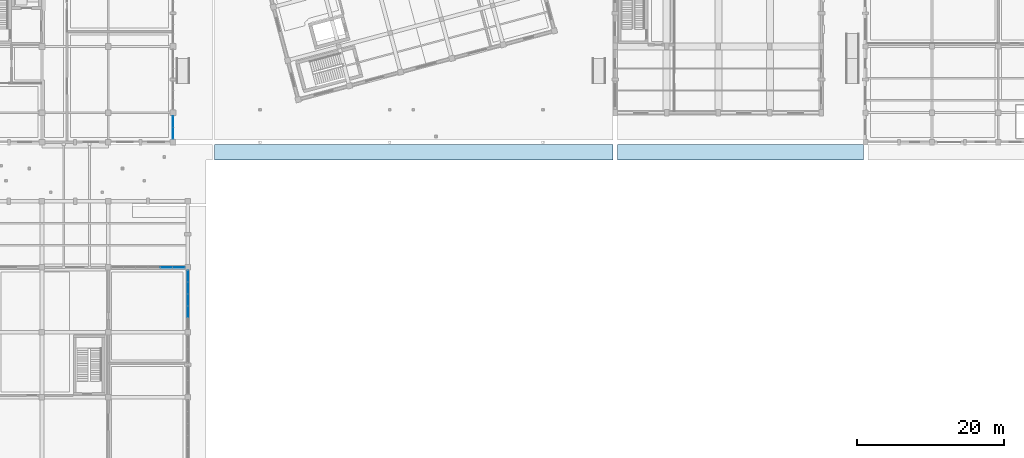
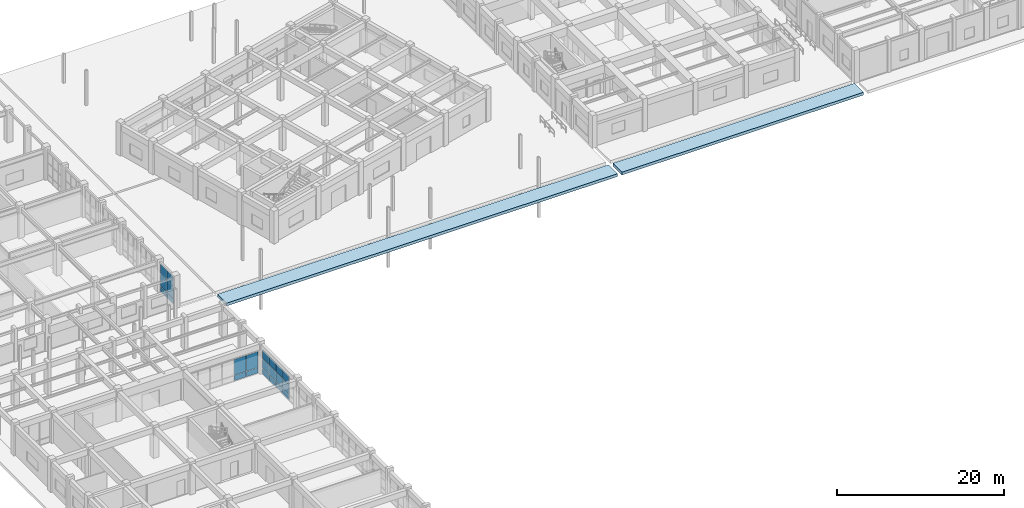
# One storey, part 29 of 47: 22 plates, 2 slabs, 3 elements without a shape of their own.
"""IFC4 building model written with IfcOpenShell, lengths in metres."""

from ifc_helpers import new_model, si_unit, direction, frame, origin, origin_2d, place, context, subcontext, project, spatial, polyline, rectangle, outline, extrude, material, layer, layer_set, type_object, element, aggregate, save


model = new_model("IFC4")

# Units and contexts
model_context = context("Model", 3, precision=1e-05, world=origin(), true_north=direction((0.0, 1.0)))
body_context = subcontext(model_context, "Body", "Model", "MODEL_VIEW")
ifc_project = project(units=[si_unit("LENGTHUNIT", "METRE"), si_unit("AREAUNIT", "SQUARE_METRE"), si_unit("VOLUMEUNIT", "CUBIC_METRE"), si_unit("PLANEANGLEUNIT", "RADIAN"), si_unit("MASSUNIT", "GRAM", prefix="KILO")], contexts=[model_context])

# Site, building, storey
site_placement = place(None, origin())
site = spatial("IfcSite", under=ifc_project, at=site_placement, CompositionType="ELEMENT")
building_placement = place(site_placement, origin())
building = spatial("IfcBuilding", under=site, at=building_placement, Name="Ventoquebrada Cableway Terminal", CompositionType="ELEMENT")
storey_placement = place(building_placement, origin())
storey = spatial("IfcBuildingStorey", under=building, at=storey_placement, Name="L00", CompositionType="ELEMENT", Elevation=0.0)

# Curtain wall, plates
ifc_material_1 = material(Name="Anodized thermally-broken aluminium", Category="aluminium")
ifc_layer_1 = layer(ifc_material_1, 0.159912109375)
ifc_layer_set_1 = layer_set([ifc_layer_1], Name="Anodized thermally-broken aluminium")
curtain_wall_type_1 = type_object("IfcCurtainWallType", Name="CW-T02", PredefinedType="USERDEFINED", material=ifc_layer_set_1)
curtain_wall_1_placement = place(storey_placement, origin())
curtain_wall_1 = element("IfcCurtainWall", 1, at=curtain_wall_1_placement, inside=storey, type_object=curtain_wall_type_1, Name="Unitised glazed curtain wall CW-006", ObjectType="UNITISED CURTAIN WALL", PredefinedType="USERDEFINED")
ifc_material_2 = material(Name="Double low-e laminated safety glazing", Category="glass")
ifc_layer_2 = layer(ifc_material_2, 0.031982421875)
ifc_layer_set_2 = layer_set([ifc_layer_2], Name="Double low-e laminated safety glazing")
plate_type_1 = type_object("IfcPlateType", Name="CWP-GL1", PredefinedType="CURTAIN_PANEL", material=ifc_layer_set_2)
plate_1_placement = place(storey_placement, frame((37.0, 40.991943359375, 0.87451171875), z_axis=(0.0, 0.0, 1.0), x_axis=(0.0, 1.0, 0.0)))
plate_1 = element("IfcPlate", 2, at=plate_1_placement, type_object=plate_type_1, Name="Vision glazing panel PN-0044", PredefinedType="CURTAIN_PANEL", context=body_context, shape_type="SweptSolid", body=[
    extrude(rectangle(XDim=1.55908203125, YDim=0.031982421875, at=origin_2d()), origin(), (0.0, 0.0, 1.0), 1.34912109375),
])
plate_2_placement = place(storey_placement, frame((37.0, 42.60009765625, 2.2724609375), z_axis=(0.0, 0.0, 1.0), x_axis=(0.0, 1.0, 0.0)))
plate_2 = element("IfcPlate", 3, at=plate_2_placement, type_object=plate_type_1, Name="Vision glazing panel PN-0048", PredefinedType="CURTAIN_PANEL", context=body_context, shape_type="SweptSolid", body=[
    extrude(rectangle(XDim=1.55908203125, YDim=0.031982421875, at=origin_2d()), origin(), (0.0, 0.0, 1.0), 1.29296875),
])
plate_3_placement = place(storey_placement, frame((37.0, 44.20703125, 0.87451171875), z_axis=(0.0, 0.0, 1.0), x_axis=(0.0, 1.0, 0.0)))
plate_3 = element("IfcPlate", 4, at=plate_3_placement, type_object=plate_type_1, Name="Vision glazing panel PN-0050", PredefinedType="CURTAIN_PANEL", context=body_context, shape_type="SweptSolid", body=[
    extrude(rectangle(XDim=1.55908203125, YDim=0.031982421875, at=origin_2d()), origin(), (0.0, 0.0, 1.0), 1.34912109375),
])
plate_4_placement = place(storey_placement, frame((37.0, 45.798095703125, 2.2724609375), z_axis=(0.0, 0.0, 1.0), x_axis=(0.0, 1.0, 0.0)))
plate_4 = element("IfcPlate", 5, at=plate_4_placement, type_object=plate_type_1, Name="Vision glazing panel PN-0054", PredefinedType="CURTAIN_PANEL", context=body_context, shape_type="SweptSolid", body=[
    extrude(rectangle(XDim=1.52392578125, YDim=0.031982421875, at=origin_2d()), origin(), (0.0, 0.0, 1.0), 1.29296875),
])

# Curtain wall, plate
ifc_layer_3 = layer(ifc_material_1, 0.159912109375)
ifc_layer_set_3 = layer_set([ifc_layer_3], Name="Anodized thermally-broken aluminium")
curtain_wall_type_2 = type_object("IfcCurtainWallType", Name="CW-T04", PredefinedType="USERDEFINED", material=ifc_layer_set_3)
curtain_wall_2_placement = place(storey_placement, origin())
curtain_wall_2 = element("IfcCurtainWall", 6, at=curtain_wall_2_placement, inside=storey, type_object=curtain_wall_type_2, Name="Unitised glazed curtain wall CW-008", ObjectType="UNITISED CURTAIN WALL", PredefinedType="USERDEFINED")
plate_5_placement = place(storey_placement, frame((34.110107421875, 47.0, 0.87451171875), z_axis=(0.0, 0.0, 1.0), x_axis=(-1.0, 0.0, 0.0)))
plate_5 = element("IfcPlate", 7, at=plate_5_placement, type_object=plate_type_1, Name="Vision glazing panel PN-0064", PredefinedType="CURTAIN_PANEL", context=body_context, shape_type="SweptSolid", body=[
    extrude(rectangle(XDim=1.6240234375, YDim=0.031982421875, at=origin_2d()), origin(), (0.0, 0.0, 1.0), 2.301025390625),
])

# Curtain wall, plates
ifc_layer_4 = layer(ifc_material_1, 0.159912109375)
ifc_layer_set_4 = layer_set([ifc_layer_4], Name="Anodized thermally-broken aluminium")
curtain_wall_type_3 = type_object("IfcCurtainWallType", Name="CW-T12", PredefinedType="USERDEFINED", material=ifc_layer_set_4)
curtain_wall_3_placement = place(storey_placement, origin())
curtain_wall_3 = element("IfcCurtainWall", 8, at=curtain_wall_3_placement, inside=storey, type_object=curtain_wall_type_3, Name="Unitised glazed curtain wall CW-023", ObjectType="UNITISED CURTAIN WALL", PredefinedType="USERDEFINED")
plate_6_placement = place(storey_placement, frame((35.0, 65.219970703125, 2.58837890625), z_axis=(0.0, 0.0, 1.0), x_axis=(0.0, 1.0, 0.0)))
plate_6 = element("IfcPlate", 9, at=plate_6_placement, type_object=plate_type_1, Name="Vision glazing panel PN-0230", PredefinedType="CURTAIN_PANEL", context=body_context, shape_type="SweptSolid", body=[
    extrude(rectangle(XDim=1.510986328125, YDim=0.031982421875, at=origin_2d()), origin(), (0.0, 0.0, 1.0), 1.487060546875),
])
plate_7_placement = place(storey_placement, frame((35.0, 66.780029296875, 0.87451171875), z_axis=(0.0, 0.0, 1.0), x_axis=(0.0, 1.0, 0.0)))
plate_7 = element("IfcPlate", 10, at=plate_7_placement, type_object=plate_type_1, Name="Vision glazing panel PN-0232", PredefinedType="CURTAIN_PANEL", context=body_context, shape_type="SweptSolid", body=[
    extrude(rectangle(XDim=1.510986328125, YDim=0.031982421875, at=origin_2d()), origin(), (0.0, 0.0, 1.0), 1.6650390625),
])

# Plate
ifc_layer_5 = layer(ifc_material_2, 0.0380859375)
ifc_layer_set_5 = layer_set([ifc_layer_5], Name="Double low-e laminated safety glazing")
plate_type_2 = type_object("IfcPlateType", Name="CWP-GL2", PredefinedType="CURTAIN_PANEL", material=ifc_layer_set_5)
plate_8_placement = place(storey_placement, frame((37.0, 40.991943359375, 2.2724609375), z_axis=(0.0, 0.0, 1.0), x_axis=(0.0, 1.0, 0.0)))
plate_8 = element("IfcPlate", 11, at=plate_8_placement, type_object=plate_type_2, Name="Vision glazing panel PN-0045", PredefinedType="CURTAIN_PANEL", context=body_context, shape_type="SweptSolid", body=[
    extrude(rectangle(XDim=1.55908203125, YDim=0.0380859375, at=origin_2d()), origin(), (0.0, 0.0, 1.0), 1.29296875),
])

plate_9_placement = place(storey_placement, frame((37.0, 42.60009765625, 0.87451171875), z_axis=(0.0, 0.0, 1.0), x_axis=(0.0, 1.0, 0.0)))
plate_9 = element("IfcPlate", 12, at=plate_9_placement, type_object=plate_type_2, Name="Vision glazing panel PN-0047", PredefinedType="CURTAIN_PANEL", context=body_context, shape_type="SweptSolid", body=[
    extrude(rectangle(XDim=1.55908203125, YDim=0.0380859375, at=origin_2d()), origin(), (0.0, 0.0, 1.0), 1.34912109375),
])

plate_10_placement = place(storey_placement, frame((37.0, 44.20703125, 2.2724609375), z_axis=(0.0, 0.0, 1.0), x_axis=(0.0, 1.0, 0.0)))
plate_10 = element("IfcPlate", 13, at=plate_10_placement, type_object=plate_type_2, Name="Vision glazing panel PN-0051", PredefinedType="CURTAIN_PANEL", context=body_context, shape_type="SweptSolid", body=[
    extrude(rectangle(XDim=1.55908203125, YDim=0.0380859375, at=origin_2d()), origin(), (0.0, 0.0, 1.0), 1.29296875),
])

plate_11_placement = place(storey_placement, frame((37.0, 45.798095703125, 0.87451171875), z_axis=(0.0, 0.0, 1.0), x_axis=(0.0, 1.0, 0.0)))
plate_11 = element("IfcPlate", 14, at=plate_11_placement, type_object=plate_type_2, Name="Vision glazing panel PN-0053", PredefinedType="CURTAIN_PANEL", context=body_context, shape_type="SweptSolid", body=[
    extrude(rectangle(XDim=1.52392578125, YDim=0.0380859375, at=origin_2d()), origin(), (0.0, 0.0, 1.0), 1.34912109375),
])

plate_12_placement = place(storey_placement, frame((35.76611328125, 47.0, 0.87451171875), z_axis=(0.0, 0.0, 1.0), x_axis=(-1.0, 0.0, 0.0)))
plate_12 = element("IfcPlate", 15, at=plate_12_placement, type_object=plate_type_2, Name="Vision glazing panel PN-0062", PredefinedType="CURTAIN_PANEL", context=body_context, shape_type="SweptSolid", body=[
    extrude(rectangle(XDim=1.589111328125, YDim=0.0380859375, at=origin_2d()), origin(), (0.0, 0.0, 1.0), 2.301025390625),
])

plate_13_placement = place(storey_placement, frame((35.0, 65.219970703125, 0.87451171875), z_axis=(0.0, 0.0, 1.0), x_axis=(0.0, 1.0, 0.0)))
plate_13 = element("IfcPlate", 16, at=plate_13_placement, type_object=plate_type_2, Name="Vision glazing panel PN-0229", PredefinedType="CURTAIN_PANEL", context=body_context, shape_type="SweptSolid", body=[
    extrude(rectangle(XDim=1.510986328125, YDim=0.0380859375, at=origin_2d()), origin(), (0.0, 0.0, 1.0), 1.6650390625),
])

plate_14_placement = place(storey_placement, frame((35.0, 66.780029296875, 2.58837890625), z_axis=(0.0, 0.0, 1.0), x_axis=(0.0, 1.0, 0.0)))
plate_14 = element("IfcPlate", 17, at=plate_14_placement, type_object=plate_type_2, Name="Vision glazing panel PN-0233", PredefinedType="CURTAIN_PANEL", context=body_context, shape_type="SweptSolid", body=[
    extrude(rectangle(XDim=1.510986328125, YDim=0.0380859375, at=origin_2d()), origin(), (0.0, 0.0, 1.0), 1.487060546875),
])

ifc_material_3 = material(Name="Insulated aluminium spandrel cassette", Category="aluminium")
ifc_layer_6 = layer(ifc_material_3, 0.044921875)
ifc_layer_set_6 = layer_set([ifc_layer_6], Name="Insulated aluminium spandrel cassette")
plate_type_3 = type_object("IfcPlateType", Name="CWP-SP1", PredefinedType="CURTAIN_PANEL", material=ifc_layer_set_6)
plate_15_placement = place(storey_placement, frame((37.0, 40.991943359375, 0.06005859375), z_axis=(0.0, 0.0, 1.0), x_axis=(0.0, 1.0, 0.0)))
plate_15 = element("IfcPlate", 18, at=plate_15_placement, type_object=plate_type_3, Name="Insulated spandrel panel PN-0043", PredefinedType="CURTAIN_PANEL", context=body_context, shape_type="SweptSolid", body=[
    extrude(rectangle(XDim=1.55908203125, YDim=0.044921875, at=origin_2d()), origin(), (0.0, 0.0, 1.0), 0.76611328125),
])

plate_16_placement = place(storey_placement, frame((37.0, 42.60009765625, 0.06005859375), z_axis=(0.0, 0.0, 1.0), x_axis=(0.0, 1.0, 0.0)))
plate_16 = element("IfcPlate", 19, at=plate_16_placement, type_object=plate_type_3, Name="Insulated spandrel panel PN-0046", PredefinedType="CURTAIN_PANEL", context=body_context, shape_type="SweptSolid", body=[
    extrude(rectangle(XDim=1.55908203125, YDim=0.044921875, at=origin_2d()), origin(), (0.0, 0.0, 1.0), 0.76611328125),
])

plate_17_placement = place(storey_placement, frame((37.0, 44.20703125, 0.06005859375), z_axis=(0.0, 0.0, 1.0), x_axis=(0.0, 1.0, 0.0)))
plate_17 = element("IfcPlate", 20, at=plate_17_placement, type_object=plate_type_3, Name="Insulated spandrel panel PN-0049", PredefinedType="CURTAIN_PANEL", context=body_context, shape_type="SweptSolid", body=[
    extrude(rectangle(XDim=1.55908203125, YDim=0.044921875, at=origin_2d()), origin(), (0.0, 0.0, 1.0), 0.76611328125),
])

plate_18_placement = place(storey_placement, frame((37.0, 45.798095703125, 0.06005859375), z_axis=(0.0, 0.0, 1.0), x_axis=(0.0, 1.0, 0.0)))
plate_18 = element("IfcPlate", 21, at=plate_18_placement, type_object=plate_type_3, Name="Insulated spandrel panel PN-0052", PredefinedType="CURTAIN_PANEL", context=body_context, shape_type="SweptSolid", body=[
    extrude(rectangle(XDim=1.52392578125, YDim=0.044921875, at=origin_2d()), origin(), (0.0, 0.0, 1.0), 0.76611328125),
])

aggregate(curtain_wall_1, [plate_15, plate_1, plate_8, plate_16, plate_9, plate_2, plate_17, plate_3, plate_10, plate_18, plate_11, plate_4])

plate_19_placement = place(storey_placement, frame((35.76611328125, 47.0, 0.06005859375), z_axis=(0.0, 0.0, 1.0), x_axis=(-1.0, 0.0, 0.0)))
plate_19 = element("IfcPlate", 22, at=plate_19_placement, type_object=plate_type_3, Name="Insulated spandrel panel PN-0061", PredefinedType="CURTAIN_PANEL", context=body_context, shape_type="SweptSolid", body=[
    extrude(rectangle(XDim=1.589111328125, YDim=0.044921875, at=origin_2d()), origin(), (0.0, 0.0, 1.0), 0.76611328125),
])

plate_20_placement = place(storey_placement, frame((34.110107421875, 47.0, 0.06005859375), z_axis=(0.0, 0.0, 1.0), x_axis=(-1.0, 0.0, 0.0)))
plate_20 = element("IfcPlate", 23, at=plate_20_placement, type_object=plate_type_3, Name="Insulated spandrel panel PN-0063", PredefinedType="CURTAIN_PANEL", context=body_context, shape_type="SweptSolid", body=[
    extrude(rectangle(XDim=1.6240234375, YDim=0.044921875, at=origin_2d()), origin(), (0.0, 0.0, 1.0), 0.76611328125),
])

aggregate(curtain_wall_2, [plate_19, plate_12, plate_20, plate_5])

plate_21_placement = place(storey_placement, frame((35.0, 65.219970703125, 0.06005859375), z_axis=(0.0, 0.0, 1.0), x_axis=(0.0, 1.0, 0.0)))
plate_21 = element("IfcPlate", 24, at=plate_21_placement, type_object=plate_type_3, Name="Insulated spandrel panel PN-0228", PredefinedType="CURTAIN_PANEL", context=body_context, shape_type="SweptSolid", body=[
    extrude(rectangle(XDim=1.510986328125, YDim=0.044921875, at=origin_2d()), origin(), (0.0, 0.0, 1.0), 0.76611328125),
])

plate_22_placement = place(storey_placement, frame((35.0, 66.780029296875, 0.06005859375), z_axis=(0.0, 0.0, 1.0), x_axis=(0.0, 1.0, 0.0)))
plate_22 = element("IfcPlate", 25, at=plate_22_placement, type_object=plate_type_3, Name="Insulated spandrel panel PN-0231", PredefinedType="CURTAIN_PANEL", context=body_context, shape_type="SweptSolid", body=[
    extrude(rectangle(XDim=1.510986328125, YDim=0.044921875, at=origin_2d()), origin(), (0.0, 0.0, 1.0), 0.76611328125),
])

aggregate(curtain_wall_3, [plate_21, plate_13, plate_6, plate_22, plate_7, plate_14])

# Slabs
ifc_material_4 = material(Name="Concrete C40/50", Category="concrete")
ifc_layer_7 = layer(ifc_material_4, 0.419921875)
ifc_layer_set_7 = layer_set([ifc_layer_7], Name="Concrete C40/50")
slab_type = type_object("IfcSlabType", Name="SL-TR1", PredefinedType="FLOOR", material=ifc_layer_set_7)
slab_1_placement = place(storey_placement, frame((0.0, 0.0, -0.419921875)))
element("IfcSlab", 26, at=slab_1_placement, inside=storey, type_object=slab_type, Name="Exterior basalt arrival court slab SL-081", PredefinedType="FLOOR", context=body_context, shape_type="SweptSolid", body=[
    extrude(outline(polyline([(40.639892578125, 61.550048828125), (94.699951171875, 61.550048828125), (94.699951171875, 63.699951171875), (40.639892578125, 63.699951171875), (40.639892578125, 61.550048828125)])), origin(), (0.0, 0.0, 1.0), 0.419921875),
])
slab_2_placement = place(storey_placement, frame((0.0, 0.0, -0.419921875)))
element("IfcSlab", 27, at=slab_2_placement, inside=storey, type_object=slab_type, Name="Exterior basalt arrival court slab SL-126", PredefinedType="FLOOR", context=body_context, shape_type="SweptSolid", body=[
    extrude(outline(polyline([(95.300048828125, 61.550048828125), (128.699951171875, 61.550048828125), (128.699951171875, 63.699951171875), (95.300048828125, 63.699951171875), (95.300048828125, 61.550048828125)])), origin(), (0.0, 0.0, 1.0), 0.419921875),
])

save(model, "model.ifc")
